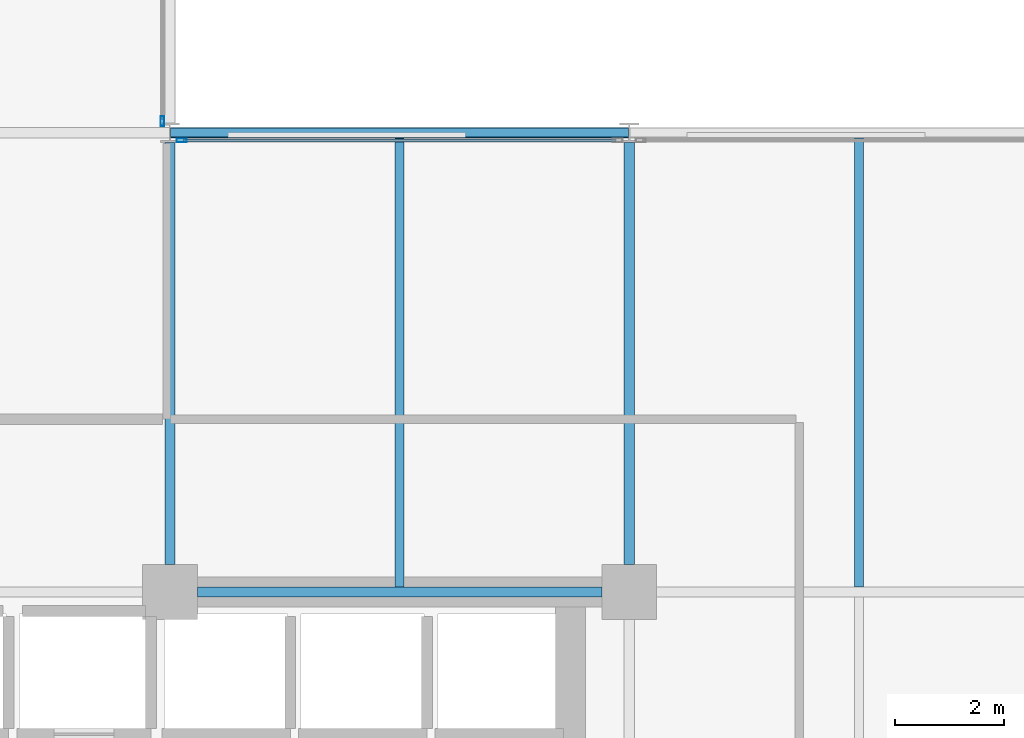
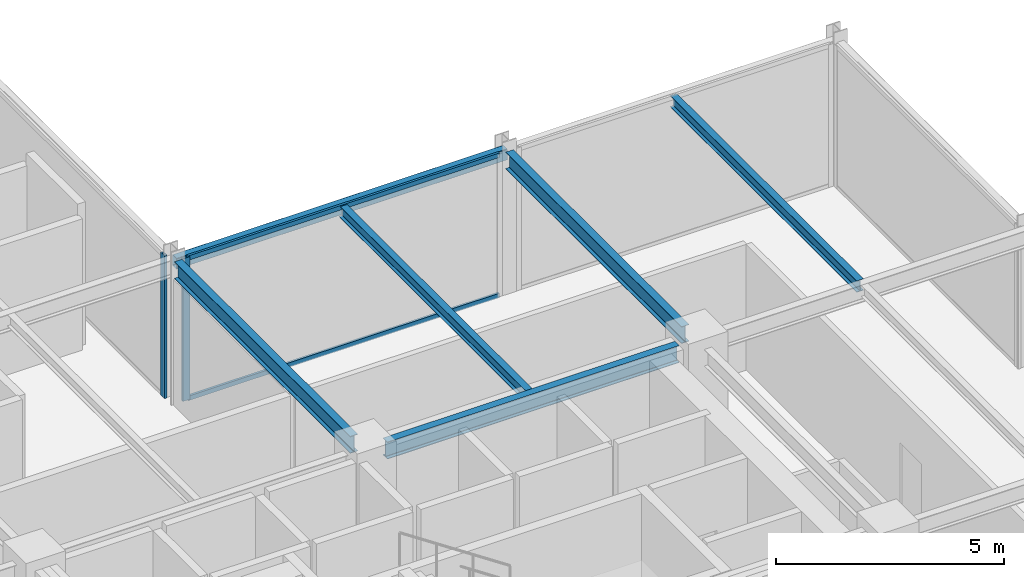
# One storey, part 14 of 29: 6 beams, 4 members, 2 elements without a shape of their own.
"""IFC4 building model written with IfcOpenShell, lengths in metres."""

from ifc_helpers import new_model, si_unit, direction, frame, origin, origin_2d, place, context, subcontext, project, spatial, hollow_rectangle, i_section, extrude, material, layer, layer_set, material_profile, profile_set, type_object, element, aggregate, save


model = new_model("IFC4")

# Units and contexts
model_context = context("Model", 3, precision=1e-05, world=origin(), true_north=direction((0.0, 1.0)))
body_context = subcontext(model_context, "Body", "Model", "MODEL_VIEW")
ifc_project = project(units=[si_unit("LENGTHUNIT", "METRE"), si_unit("AREAUNIT", "SQUARE_METRE"), si_unit("VOLUMEUNIT", "CUBIC_METRE"), si_unit("PLANEANGLEUNIT", "RADIAN"), si_unit("MASSUNIT", "GRAM", prefix="KILO")], contexts=[model_context])

# Site, building, storey
site_placement = place(None, origin())
site = spatial("IfcSite", under=ifc_project, at=site_placement, CompositionType="ELEMENT")
building_placement = place(site_placement, origin())
building = spatial("IfcBuilding", under=site, at=building_placement, Name="Nerrivon Quay Data Exchange", CompositionType="ELEMENT")
storey_placement = place(building_placement, frame((0.0, 0.0, 183.699951171875)))
storey = spatial("IfcBuildingStorey", under=building, at=storey_placement, Name="L43", CompositionType="ELEMENT", Elevation=183.699951171875)

# Beams
ifc_material_1 = material(Name="Steel Grade 350", Category="steel")
ifc_material_profile_1 = material_profile(ifc_material_1, i_section(OverallWidth=0.19091796875, OverallDepth=0.4599609375, WebThickness=0.010009765625, FlangeThickness=0.01611328125, FilletRadius=0.011474609375, at=origin_2d()), Name="460UB82.1")
ifc_profile_set_1 = profile_set([ifc_material_profile_1], Name="Steel Grade 350")
beam_type_1 = type_object("IfcBeamType", Name="BM-G5-460UB82", PredefinedType="BEAM", material=ifc_profile_set_1)
beam_1_placement = place(storey_placement, frame((25.699951171875, 16.800048828125, 3.594970703125), z_axis=(1.0, 0.0, 0.0), x_axis=(0.0, 1.0, 0.0)))
element("IfcBeam", 1, at=beam_1_placement, inside=storey, type_object=beam_type_1, Name="L43 EW Girder Y=16.8 (25.2..33.6)", PredefinedType="BEAM", context=body_context, shape_type="SweptSolid", body=[
    extrude(i_section(OverallWidth=0.19091796875, OverallDepth=0.4599609375, WebThickness=0.010009765625, FlangeThickness=0.01611328125, FilletRadius=0.011474609375, at=origin_2d()), origin(), (0.0, 0.0, 1.0), 7.400146484375),
])
ifc_material_profile_2 = material_profile(ifc_material_1, i_section(OverallWidth=0.18994140625, OverallDepth=0.4541015625, WebThickness=0.008544921875, FlangeThickness=0.0126953125, FilletRadius=0.011474609375, at=origin_2d()), Name="460UB67.1")
ifc_profile_set_2 = profile_set([ifc_material_profile_2], Name="Steel Grade 350")
beam_type_2 = type_object("IfcBeamType", Name="BM-G6-460UB67", PredefinedType="BEAM", material=ifc_profile_set_2)
for number, where, z_axis, x_axis, name in (
    (2, (25.199951171875, 17.300048828125, 3.59814453125), (0.0, 1.0, 0.0), (-1.0, 0.0, 0.0), "L43 NS Girder X=25.2 (16.8..25.2)"),
    (3, (33.60009765625, 17.300048828125, 3.59814453125), (0.0, 1.0, 0.0), (-1.0, 0.0, 0.0), "L43 NS Girder X=33.6 (16.8..25.2)"),
):
    element("IfcBeam", number, at=place(storey_placement, frame(where, z_axis=z_axis, x_axis=x_axis)), inside=storey, type_object=beam_type_2, Name=name, PredefinedType="BEAM", context=body_context, shape_type="SweptSolid", body=[
        extrude(i_section(OverallWidth=0.18994140625, OverallDepth=0.4541015625, WebThickness=0.008544921875, FlangeThickness=0.0126953125, FilletRadius=0.011474609375, at=origin_2d()), origin(), (0.0, 0.0, 1.0), 7.724853515625),
    ])
ifc_material_profile_3 = material_profile(ifc_material_1, i_section(OverallWidth=0.166015625, OverallDepth=0.306884765625, WebThickness=0.006591796875, FlangeThickness=0.01171875, FilletRadius=0.011474609375, at=origin_2d()), Name="310UB46.2")
ifc_profile_set_3 = profile_set([ifc_material_profile_3], Name="Steel Grade 350")
beam_type_3 = type_object("IfcBeamType", Name="BM-J5-310UB46", PredefinedType="JOIST", material=ifc_profile_set_3)
for number, where, z_axis, x_axis, name in (
    (4, (29.39990234375, 16.8955078125, 3.671630859375), (0.0, 1.0, 0.0), (-1.0, 0.0, 0.0), "L43 Secondary Joist X=29.4 (16.8..25.2)"),
    (5, (37.800048828125, 16.8955078125, 3.671630859375), (0.0, 1.0, 0.0), (-1.0, 0.0, 0.0), "L43 Secondary Joist X=37.8 (16.8..25.2)"),
):
    element("IfcBeam", number, at=place(storey_placement, frame(where, z_axis=z_axis, x_axis=x_axis)), inside=storey, type_object=beam_type_3, Name=name, PredefinedType="JOIST", context=body_context, shape_type="SweptSolid", body=[
        extrude(i_section(OverallWidth=0.166015625, OverallDepth=0.306884765625, WebThickness=0.006591796875, FlangeThickness=0.01171875, FilletRadius=0.011474609375, at=origin_2d()), origin(), (0.0, 0.0, 1.0), 8.20458984375),
    ])
ifc_material_2 = material(Name="Steel Grade C350L0 (350 MPa)", Category="steel")
ifc_material_profile_4 = material_profile(ifc_material_2, hollow_rectangle(XDim=0.199951171875, YDim=0.300048828125, WallThickness=0.012451171875, InnerFilletRadius=0.018798828125, OuterFilletRadius=0.03125, at=origin_2d()), Name="300x200x12.5RHS")
ifc_profile_set_4 = profile_set([ifc_material_profile_4], Name="Steel Grade C350L0 (350 MPa)")
beam_type_4 = type_object("IfcBeamType", Name="BM-SP3-300x200RHS", PredefinedType="SPANDREL", material=ifc_profile_set_4)
beam_2_placement = place(storey_placement, frame((25.2099609375, 25.199951171875, 3.675048828125), z_axis=(1.0, 0.0, 0.0), x_axis=(0.0, 1.0, 0.0)))
element("IfcBeam", 6, at=beam_2_placement, inside=storey, type_object=beam_type_4, Name="L43 EW Girder Y=25.2 (25.2..33.6)", PredefinedType="SPANDREL", context=body_context, shape_type="SweptSolid", body=[
    extrude(hollow_rectangle(XDim=0.199951171875, YDim=0.300048828125, WallThickness=0.012451171875, InnerFilletRadius=0.018798828125, OuterFilletRadius=0.03125, at=origin_2d()), origin(), (0.0, 0.0, 1.0), 8.380126953125),
])

# Curtain wall, member
ifc_material_3 = material(Name="Anodised aluminium 6063-T6", Category="aluminium")
ifc_layer = layer(ifc_material_3, 0.195068359375)
ifc_layer_set = layer_set([ifc_layer], Name="Anodised aluminium 6063-T6")
curtain_wall_type = type_object("IfcCurtainWallType", Name="CW-SYS-06", PredefinedType="NOTDEFINED", material=ifc_layer_set)
curtain_wall_1_placement = place(storey_placement, origin())
curtain_wall_1 = element("IfcCurtainWall", 7, at=curtain_wall_1_placement, inside=storey, type_object=curtain_wall_type, Name="L43 Unitised Curtain Wall 15", PredefinedType="NOTDEFINED")
ifc_material_profile_5 = material_profile(ifc_material_3, hollow_rectangle(XDim=0.06494140625, YDim=0.179931640625, WallThickness=0.00341796875, at=origin_2d()), Name="ALU-MULL-180x65")
ifc_profile_set_5 = profile_set([ifc_material_profile_5], Name="Anodised aluminium 6063-T6")
member_type_1 = type_object("IfcMemberType", Name="CWM-180x65", PredefinedType="MULLION", material=ifc_profile_set_5)
member_1_placement = place(storey_placement, frame((25.06005859375, 25.41259765625, 0.0), z_axis=(0.0, 0.0, 1.0), x_axis=(1.0, 0.0, 0.0)))
member_1 = element("IfcMember", 8, at=member_1_placement, type_object=member_type_1, Name="CW06 mullion 2", PredefinedType="MULLION", context=body_context, shape_type="SweptSolid", body=[
    extrude(hollow_rectangle(XDim=0.06494140625, YDim=0.179931640625, WallThickness=0.00341796875, at=origin_2d()), origin(), (0.0, 0.0, 1.0), 3.824951171875),
])
aggregate(curtain_wall_1, [member_1])

# Curtain wall, members
curtain_wall_2_placement = place(storey_placement, origin())
curtain_wall_2 = element("IfcCurtainWall", 9, at=curtain_wall_2_placement, inside=storey, type_object=curtain_wall_type, Name="L43 Unitised Curtain Wall 16", PredefinedType="NOTDEFINED")
member_2_placement = place(storey_placement, frame((25.41259765625, 25.06005859375, 0.0), z_axis=(0.0, 0.0, 1.0), x_axis=(0.0, 1.0, 0.0)))
member_2 = element("IfcMember", 10, at=member_2_placement, type_object=member_type_1, Name="CW06 mullion 1", PredefinedType="MULLION", context=body_context, shape_type="SweptSolid", body=[
    extrude(hollow_rectangle(XDim=0.06494140625, YDim=0.179931640625, WallThickness=0.00341796875, at=origin_2d()), origin(), (0.0, 0.0, 1.0), 3.824951171875),
])
ifc_material_profile_6 = material_profile(ifc_material_3, hollow_rectangle(XDim=0.06005859375, YDim=0.1201171875, WallThickness=0.003173828125, at=origin_2d()), Name="ALU-TRAN-120x60")
ifc_profile_set_6 = profile_set([ifc_material_profile_6], Name="Anodised aluminium 6063-T6")
member_type_2 = type_object("IfcMemberType", Name="CWT-120x60", PredefinedType="USERDEFINED", material=ifc_profile_set_6)
member_3_placement = place(storey_placement, frame((25.449951171875, 25.06005859375, 0.032470703125), z_axis=(1.0, 0.0, 0.0), x_axis=(0.0, 1.0, 0.0)))
member_3 = element("IfcMember", 11, at=member_3_placement, type_object=member_type_2, Name="CW06 transom 1.1", ObjectType="TRANSOM", PredefinedType="USERDEFINED", context=body_context, shape_type="SweptSolid", body=[
    extrude(hollow_rectangle(XDim=0.06005859375, YDim=0.1201171875, WallThickness=0.003173828125, at=origin_2d()), origin(), (0.0, 0.0, 1.0), 7.900146484375),
])
member_4_placement = place(storey_placement, frame((25.449951171875, 25.06005859375, 3.79248046875), z_axis=(1.0, 0.0, 0.0), x_axis=(0.0, 1.0, 0.0)))
member_4 = element("IfcMember", 12, at=member_4_placement, type_object=member_type_2, Name="CW06 transom 1.2", ObjectType="TRANSOM", PredefinedType="USERDEFINED", context=body_context, shape_type="SweptSolid", body=[
    extrude(hollow_rectangle(XDim=0.06005859375, YDim=0.1201171875, WallThickness=0.003173828125, at=origin_2d()), origin(), (0.0, 0.0, 1.0), 7.900146484375),
])
aggregate(curtain_wall_2, [member_2, member_3, member_4])

save(model, "model.ifc")
